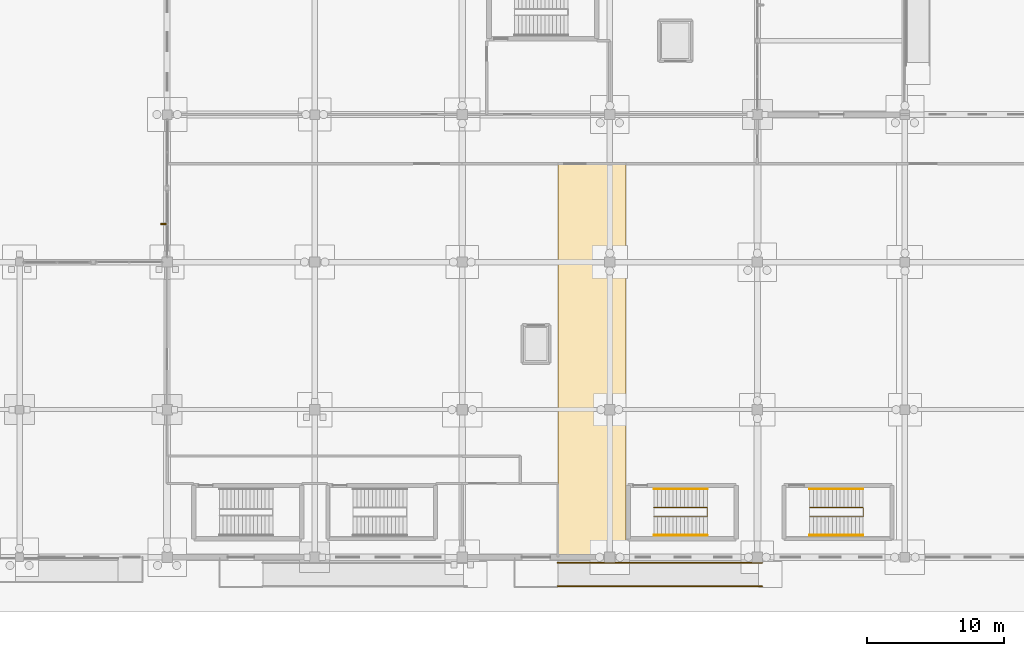
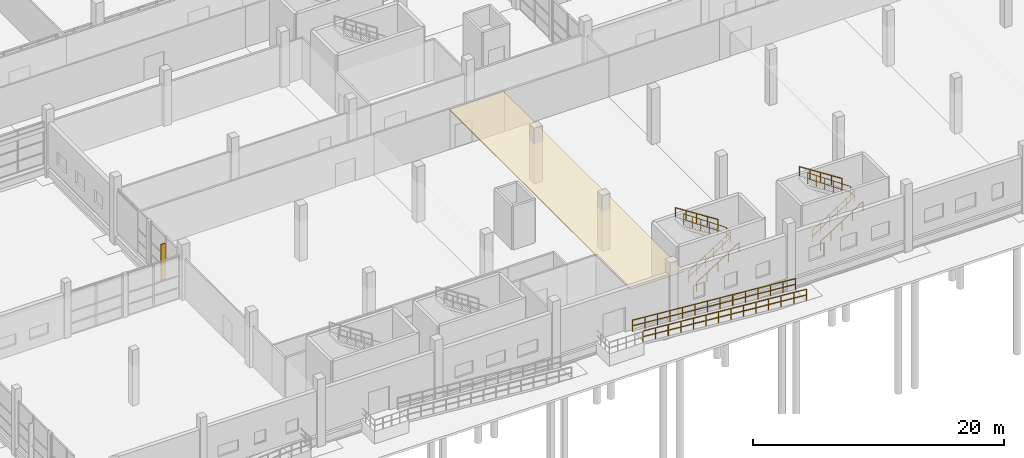
# One storey, part 134 of 138: 8 railings, 1 covering, 1 shading device.
"""IFC4 building model written with IfcOpenShell, lengths in metres."""

from ifc_helpers import new_model, si_unit, direction, frame, origin, origin_2d, place, context, subcontext, project, spatial, polyline, rectangle, circle, outline, extrude, material, layer, layer_set, type_object, element, save


model = new_model("IFC4")

# Units and contexts
model_context = context("Model", 3, precision=1e-05, world=origin(), true_north=direction((0.0, 1.0)))
body_context = subcontext(model_context, "Body", "Model", "MODEL_VIEW")
ifc_project = project(units=[si_unit("LENGTHUNIT", "METRE"), si_unit("AREAUNIT", "SQUARE_METRE"), si_unit("VOLUMEUNIT", "CUBIC_METRE"), si_unit("PLANEANGLEUNIT", "RADIAN"), si_unit("MASSUNIT", "GRAM", prefix="KILO")], contexts=[model_context])

# Site, building, storey
site_placement = place(None, origin())
site = spatial("IfcSite", under=ifc_project, at=site_placement, CompositionType="ELEMENT")
building_placement = place(site_placement, origin())
building = spatial("IfcBuilding", under=site, at=building_placement, Name="Zwinboog Wholesale Market", CompositionType="ELEMENT")
storey_placement = place(building_placement, origin())
storey = spatial("IfcBuildingStorey", under=building, at=storey_placement, Name="L00", CompositionType="ELEMENT", Elevation=0.0)

# Shading device
ifc_material_1 = material(Name="Western red cedar timber", Category="wood")
shading_device_type = type_object("IfcShadingDeviceType", Name="SHD-FIN-CEDAR", PredefinedType="USERDEFINED", material=ifc_material_1)
shading_device_placement = place(storey_placement, frame((129.330078125, 24.385009765625, 0.080078125), z_axis=(0.0, 0.0, 1.0), x_axis=(1.0, 0.0, 0.0)))
element("IfcShadingDevice", 1, at=shading_device_placement, inside=storey, type_object=shading_device_type, Name="FN-01 (SHD-FIN-014)", ObjectType="FIN", PredefinedType="USERDEFINED", context=body_context, shape_type="SweptSolid", body=[
    extrude(rectangle(XDim=0.419921875, YDim=0.0849609375, at=origin_2d()), origin(), (0.0, 0.0, 1.0), 3.5),
])

# Railings
ifc_material_2 = material(Name="Steel S355", Category="steel")
railing_type_1 = type_object("IfcRailingType", Name="RLT-EXT-GUARD", PredefinedType="BALUSTRADE", material=ifc_material_2)
railing_1_placement = place(storey_placement, frame((158.159912109375, -2.1201171875, 0.0)))
element("IfcRailing", 2, at=railing_1_placement, inside=storey, type_object=railing_type_1, Name="GR-01 (RLG-STP-04B)", PredefinedType="BALUSTRADE", context=body_context, shape_type="SweptSolid", body=[
    extrude(circle(Radius=0.02392578125, at=origin_2d()), frame((0.0, 0.0, 1.076171875), z_axis=(0.996815536467, 0.0, -0.079741998075), x_axis=(0.0, 1.0, 0.0)), (0.0, 0.0, 1.0), 15.0478515625),
    extrude(circle(Radius=0.02392578125, at=origin_2d()), frame((0.0, 0.0, 0.52587890625), z_axis=(0.996815536467, 0.0, -0.079741998075), x_axis=(0.0, 1.0, 0.0)), (0.0, 0.0, 1.0), 15.0478515625),
    extrude(circle(Radius=0.02099609375, at=origin_2d()), origin(), (0.0, 0.0, 1.0), 1.052001953125),
    extrude(circle(Radius=0.02099609375, at=origin_2d()), frame((1.15380859375, 0.0, -0.09228515625)), (0.0, 0.0, 1.0), 1.052001953125),
    extrude(circle(Radius=0.02099609375, at=origin_2d()), frame((2.3076171875, 0.0, -0.1845703125)), (0.0, 0.0, 1.0), 1.052001953125),
    extrude(circle(Radius=0.02099609375, at=origin_2d()), frame((3.46142578125, 0.0, -0.27685546875)), (0.0, 0.0, 1.0), 1.052001953125),
    extrude(circle(Radius=0.02099609375, at=origin_2d()), frame((4.615478515625, 0.0, -0.369140625)), (0.0, 0.0, 1.0), 1.052001953125),
    extrude(circle(Radius=0.02099609375, at=origin_2d()), frame((5.769287109375, 0.0, -0.46142578125)), (0.0, 0.0, 1.0), 1.052001953125),
    extrude(circle(Radius=0.02099609375, at=origin_2d()), frame((6.923095703125, 0.0, -0.5537109375)), (0.0, 0.0, 1.0), 1.052001953125),
    extrude(circle(Radius=0.02099609375, at=origin_2d()), frame((8.076904296875, 0.0, -0.646240234375)), (0.0, 0.0, 1.0), 1.052001953125),
    extrude(circle(Radius=0.02099609375, at=origin_2d()), frame((9.230712890625, 0.0, -0.738525390625)), (0.0, 0.0, 1.0), 1.052001953125),
    extrude(circle(Radius=0.02099609375, at=origin_2d()), frame((10.384521484375, 0.0, -0.830810546875)), (0.0, 0.0, 1.0), 1.052001953125),
    extrude(circle(Radius=0.02099609375, at=origin_2d()), frame((11.53857421875, 0.0, -0.923095703125)), (0.0, 0.0, 1.0), 1.052001953125),
    extrude(circle(Radius=0.02099609375, at=origin_2d()), frame((12.6923828125, 0.0, -1.015380859375)), (0.0, 0.0, 1.0), 1.052001953125),
    extrude(circle(Radius=0.02099609375, at=origin_2d()), frame((13.84619140625, 0.0, -1.107666015625)), (0.0, 0.0, 1.0), 1.052001953125),
    extrude(circle(Radius=0.02099609375, at=origin_2d()), frame((15.0, 0.0, -1.199951171875)), (0.0, 0.0, 1.0), 1.052001953125),
])
railing_2_placement = place(storey_placement, frame((158.159912109375, -0.39990234375, 0.0)))
element("IfcRailing", 3, at=railing_2_placement, inside=storey, type_object=railing_type_1, Name="GR-01 (RLG-STP-04C)", PredefinedType="BALUSTRADE", context=body_context, shape_type="SweptSolid", body=[
    extrude(circle(Radius=0.02392578125, at=origin_2d()), frame((0.0, 0.0, 1.076171875), z_axis=(0.996815536467, 0.0, -0.079741998075), x_axis=(0.0, 1.0, 0.0)), (0.0, 0.0, 1.0), 15.0478515625),
    extrude(circle(Radius=0.02392578125, at=origin_2d()), frame((0.0, 0.0, 0.52587890625), z_axis=(0.996815536467, 0.0, -0.079741998075), x_axis=(0.0, 1.0, 0.0)), (0.0, 0.0, 1.0), 15.0478515625),
    extrude(circle(Radius=0.02099609375, at=origin_2d()), origin(), (0.0, 0.0, 1.0), 1.052001953125),
    extrude(circle(Radius=0.02099609375, at=origin_2d()), frame((1.15380859375, 0.0, -0.09228515625)), (0.0, 0.0, 1.0), 1.052001953125),
    extrude(circle(Radius=0.02099609375, at=origin_2d()), frame((2.3076171875, 0.0, -0.1845703125)), (0.0, 0.0, 1.0), 1.052001953125),
    extrude(circle(Radius=0.02099609375, at=origin_2d()), frame((3.46142578125, 0.0, -0.27685546875)), (0.0, 0.0, 1.0), 1.052001953125),
    extrude(circle(Radius=0.02099609375, at=origin_2d()), frame((4.615478515625, 0.0, -0.369140625)), (0.0, 0.0, 1.0), 1.052001953125),
    extrude(circle(Radius=0.02099609375, at=origin_2d()), frame((5.769287109375, 0.0, -0.46142578125)), (0.0, 0.0, 1.0), 1.052001953125),
    extrude(circle(Radius=0.02099609375, at=origin_2d()), frame((6.923095703125, 0.0, -0.5537109375)), (0.0, 0.0, 1.0), 1.052001953125),
    extrude(circle(Radius=0.02099609375, at=origin_2d()), frame((8.076904296875, 0.0, -0.646240234375)), (0.0, 0.0, 1.0), 1.052001953125),
    extrude(circle(Radius=0.02099609375, at=origin_2d()), frame((9.230712890625, 0.0, -0.738525390625)), (0.0, 0.0, 1.0), 1.052001953125),
    extrude(circle(Radius=0.02099609375, at=origin_2d()), frame((10.384521484375, 0.0, -0.830810546875)), (0.0, 0.0, 1.0), 1.052001953125),
    extrude(circle(Radius=0.02099609375, at=origin_2d()), frame((11.53857421875, 0.0, -0.923095703125)), (0.0, 0.0, 1.0), 1.052001953125),
    extrude(circle(Radius=0.02099609375, at=origin_2d()), frame((12.6923828125, 0.0, -1.015380859375)), (0.0, 0.0, 1.0), 1.052001953125),
    extrude(circle(Radius=0.02099609375, at=origin_2d()), frame((13.84619140625, 0.0, -1.107666015625)), (0.0, 0.0, 1.0), 1.052001953125),
    extrude(circle(Radius=0.02099609375, at=origin_2d()), frame((15.0, 0.0, -1.199951171875)), (0.0, 0.0, 1.0), 1.052001953125),
])
railing_type_2 = type_object("IfcRailingType", Name="RLT-INT-GUARD", PredefinedType="BALUSTRADE", material=ifc_material_2)
railing_3_placement = place(storey_placement, frame((176.6201171875, 2.9599609375, 0.179931640625)))
element("IfcRailing", 4, at=railing_3_placement, inside=storey, type_object=railing_type_2, Name="GR-02 (RLG-ST-09A-G1)", PredefinedType="BALUSTRADE", context=body_context, shape_type="SweptSolid", body=[
    extrude(circle(Radius=0.02392578125, at=origin_2d()), frame((0.0, 0.0, 1.09619140625), z_axis=(0.841171666519, 0.0, 0.540768182723), x_axis=(0.0, 1.0, 0.0)), (0.0, 0.0, 1.0), 4.66015625),
    extrude(circle(Radius=0.02392578125, at=origin_2d()), frame((0.0, 0.0, 0.5361328125), z_axis=(0.841171666519, 0.0, 0.540768182723), x_axis=(0.0, 1.0, 0.0)), (0.0, 0.0, 1.0), 4.66015625),
    extrude(circle(Radius=0.02392578125, at=origin_2d()), frame((3.919921875, 0.0, 3.6162109375), z_axis=(0.0, 1.0, 0.0), x_axis=(-1.0, 0.0, 0.0)), (0.0, 0.0, 1.0), 0.679931640625),
    extrude(circle(Radius=0.02392578125, at=origin_2d()), frame((3.919921875, 0.0, 3.05615234375), z_axis=(0.0, 1.0, 0.0), x_axis=(-1.0, 0.0, 0.0)), (0.0, 0.0, 1.0), 0.679931640625),
    extrude(circle(Radius=0.02392578125, at=origin_2d()), frame((3.919921875, 0.679931640625, 3.6162109375), z_axis=(-0.823550731654, 0.0, 0.567242622158), x_axis=(0.0, -1.0, 0.0)), (0.0, 0.0, 1.0), 4.759765625),
    extrude(circle(Radius=0.02392578125, at=origin_2d()), frame((3.919921875, 0.679931640625, 3.05615234375), z_axis=(-0.823550731654, 0.0, 0.567242622158), x_axis=(0.0, -1.0, 0.0)), (0.0, 0.0, 1.0), 4.759765625),
    extrude(circle(Radius=0.02099609375, at=origin_2d()), origin(), (0.0, 0.0, 1.0), 1.072021484375),
    extrude(circle(Radius=0.02099609375, at=origin_2d()), frame((0.783935546875, 0.0, 0.50390625)), (0.0, 0.0, 1.0), 1.072021484375),
    extrude(circle(Radius=0.02099609375, at=origin_2d()), frame((1.56787109375, 0.0, 1.008056640625)), (0.0, 0.0, 1.0), 1.072021484375),
    extrude(circle(Radius=0.02099609375, at=origin_2d()), frame((2.35205078125, 0.0, 1.511962890625)), (0.0, 0.0, 1.0), 1.072021484375),
    extrude(circle(Radius=0.02099609375, at=origin_2d()), frame((3.135986328125, 0.0, 2.01611328125)), (0.0, 0.0, 1.0), 1.072021484375),
    extrude(circle(Radius=0.02099609375, at=origin_2d()), frame((3.919921875, 0.0, 2.52001953125)), (0.0, 0.0, 1.0), 1.072021484375),
    extrude(circle(Radius=0.02099609375, at=origin_2d()), frame((3.919921875, 0.679931640625, 2.52001953125)), (0.0, 0.0, 1.0), 1.072021484375),
    extrude(circle(Radius=0.02099609375, at=origin_2d()), frame((3.135986328125, 0.679931640625, 3.06005859375)), (0.0, 0.0, 1.0), 1.072021484375),
    extrude(circle(Radius=0.02099609375, at=origin_2d()), frame((2.35205078125, 0.679931640625, 3.60009765625)), (0.0, 0.0, 1.0), 1.072021484375),
    extrude(circle(Radius=0.02099609375, at=origin_2d()), frame((1.56787109375, 0.679931640625, 4.139892578125)), (0.0, 0.0, 1.0), 1.072021484375),
    extrude(circle(Radius=0.02099609375, at=origin_2d()), frame((0.783935546875, 0.679931640625, 4.679931640625)), (0.0, 0.0, 1.0), 1.072021484375),
    extrude(circle(Radius=0.02099609375, at=origin_2d()), frame((0.0, 0.679931640625, 5.219970703125)), (0.0, 0.0, 1.0), 1.072021484375),
])
railing_4_placement = place(storey_placement, frame((165.219970703125, 2.9599609375, 0.179931640625)))
element("IfcRailing", 5, at=railing_4_placement, inside=storey, type_object=railing_type_2, Name="GR-02 (RLG-ST-11A-G1)", PredefinedType="BALUSTRADE", context=body_context, shape_type="SweptSolid", body=[
    extrude(circle(Radius=0.02392578125, at=origin_2d()), frame((0.0, 0.0, 1.09619140625), z_axis=(0.841171666519, 0.0, 0.540768182723), x_axis=(0.0, 1.0, 0.0)), (0.0, 0.0, 1.0), 4.66015625),
    extrude(circle(Radius=0.02392578125, at=origin_2d()), frame((0.0, 0.0, 0.5361328125), z_axis=(0.841171666519, 0.0, 0.540768182723), x_axis=(0.0, 1.0, 0.0)), (0.0, 0.0, 1.0), 4.66015625),
    extrude(circle(Radius=0.02392578125, at=origin_2d()), frame((3.919921875, 0.0, 3.6162109375), z_axis=(0.0, 1.0, 0.0), x_axis=(-1.0, 0.0, 0.0)), (0.0, 0.0, 1.0), 0.679931640625),
    extrude(circle(Radius=0.02392578125, at=origin_2d()), frame((3.919921875, 0.0, 3.05615234375), z_axis=(0.0, 1.0, 0.0), x_axis=(-1.0, 0.0, 0.0)), (0.0, 0.0, 1.0), 0.679931640625),
    extrude(circle(Radius=0.02392578125, at=origin_2d()), frame((3.919921875, 0.679931640625, 3.6162109375), z_axis=(-0.823550731654, 0.0, 0.567242622158), x_axis=(0.0, -1.0, 0.0)), (0.0, 0.0, 1.0), 4.759765625),
    extrude(circle(Radius=0.02392578125, at=origin_2d()), frame((3.919921875, 0.679931640625, 3.05615234375), z_axis=(-0.823550731654, 0.0, 0.567242622158), x_axis=(0.0, -1.0, 0.0)), (0.0, 0.0, 1.0), 4.759765625),
    extrude(circle(Radius=0.02099609375, at=origin_2d()), origin(), (0.0, 0.0, 1.0), 1.072021484375),
    extrude(circle(Radius=0.02099609375, at=origin_2d()), frame((0.783935546875, 0.0, 0.50390625)), (0.0, 0.0, 1.0), 1.072021484375),
    extrude(circle(Radius=0.02099609375, at=origin_2d()), frame((1.56787109375, 0.0, 1.008056640625)), (0.0, 0.0, 1.0), 1.072021484375),
    extrude(circle(Radius=0.02099609375, at=origin_2d()), frame((2.35205078125, 0.0, 1.511962890625)), (0.0, 0.0, 1.0), 1.072021484375),
    extrude(circle(Radius=0.02099609375, at=origin_2d()), frame((3.135986328125, 0.0, 2.01611328125)), (0.0, 0.0, 1.0), 1.072021484375),
    extrude(circle(Radius=0.02099609375, at=origin_2d()), frame((3.919921875, 0.0, 2.52001953125)), (0.0, 0.0, 1.0), 1.072021484375),
    extrude(circle(Radius=0.02099609375, at=origin_2d()), frame((3.919921875, 0.679931640625, 2.52001953125)), (0.0, 0.0, 1.0), 1.072021484375),
    extrude(circle(Radius=0.02099609375, at=origin_2d()), frame((3.135986328125, 0.679931640625, 3.06005859375)), (0.0, 0.0, 1.0), 1.072021484375),
    extrude(circle(Radius=0.02099609375, at=origin_2d()), frame((2.35205078125, 0.679931640625, 3.60009765625)), (0.0, 0.0, 1.0), 1.072021484375),
    extrude(circle(Radius=0.02099609375, at=origin_2d()), frame((1.56787109375, 0.679931640625, 4.139892578125)), (0.0, 0.0, 1.0), 1.072021484375),
    extrude(circle(Radius=0.02099609375, at=origin_2d()), frame((0.783935546875, 0.679931640625, 4.679931640625)), (0.0, 0.0, 1.0), 1.072021484375),
    extrude(circle(Radius=0.02099609375, at=origin_2d()), frame((0.0, 0.679931640625, 5.219970703125)), (0.0, 0.0, 1.0), 1.072021484375),
])
railing_type_3 = type_object("IfcRailingType", Name="RLT-HANDRAIL", PredefinedType="HANDRAIL", material=ifc_material_2)
railing_5_placement = place(storey_placement, frame((176.6201171875, 1.610107421875, 0.179931640625)))
element("IfcRailing", 6, at=railing_5_placement, inside=storey, type_object=railing_type_3, Name="HR-01 (RLG-ST-09A-HR1)", PredefinedType="HANDRAIL", context=body_context, shape_type="SweptSolid", body=[
    extrude(circle(Radius=0.02392578125, at=origin_2d()), frame((0.0, 0.0, 0.8759765625), z_axis=(0.841171666519, 0.0, 0.540768182723), x_axis=(0.0, 1.0, 0.0)), (0.0, 0.0, 1.0), 4.66015625),
    extrude(circle(Radius=0.02099609375, at=origin_2d()), origin(), (0.0, 0.0, 1.0), 0.851806640625),
    extrude(circle(Radius=0.02099609375, at=origin_2d()), frame((0.97998046875, 0.0, 0.6298828125)), (0.0, 0.0, 1.0), 0.851806640625),
    extrude(circle(Radius=0.02099609375, at=origin_2d()), frame((1.9599609375, 0.0, 1.260009765625)), (0.0, 0.0, 1.0), 0.851806640625),
    extrude(circle(Radius=0.02099609375, at=origin_2d()), frame((2.93994140625, 0.0, 1.89013671875)), (0.0, 0.0, 1.0), 0.851806640625),
    extrude(circle(Radius=0.02099609375, at=origin_2d()), frame((3.919921875, 0.0, 2.52001953125)), (0.0, 0.0, 1.0), 0.851806640625),
])
railing_6_placement = place(storey_placement, frame((180.5400390625, 4.989990234375, 2.8798828125)))
element("IfcRailing", 7, at=railing_6_placement, inside=storey, type_object=railing_type_3, Name="HR-01 (RLG-ST-09A-HR2)", PredefinedType="HANDRAIL", context=body_context, shape_type="SweptSolid", body=[
    extrude(circle(Radius=0.02392578125, at=origin_2d()), frame((0.0, 0.0, 0.8759765625), z_axis=(-0.841171666519, 0.0, 0.540768182723), x_axis=(0.0, -1.0, 0.0)), (0.0, 0.0, 1.0), 4.66015625),
    extrude(circle(Radius=0.02099609375, at=origin_2d()), origin(), (0.0, 0.0, 1.0), 0.851806640625),
    extrude(circle(Radius=0.02099609375, at=origin_2d()), frame((-0.97998046875, 0.0, 0.6298828125)), (0.0, 0.0, 1.0), 0.851806640625),
    extrude(circle(Radius=0.02099609375, at=origin_2d()), frame((-1.9599609375, 0.0, 1.260009765625)), (0.0, 0.0, 1.0), 0.851806640625),
    extrude(circle(Radius=0.02099609375, at=origin_2d()), frame((-2.93994140625, 0.0, 1.89013671875)), (0.0, 0.0, 1.0), 0.851806640625),
    extrude(circle(Radius=0.02099609375, at=origin_2d()), frame((-3.919921875, 0.0, 2.52001953125)), (0.0, 0.0, 1.0), 0.851806640625),
])
railing_7_placement = place(storey_placement, frame((165.219970703125, 1.610107421875, 0.179931640625)))
element("IfcRailing", 8, at=railing_7_placement, inside=storey, type_object=railing_type_3, Name="HR-01 (RLG-ST-11A-HR1)", PredefinedType="HANDRAIL", context=body_context, shape_type="SweptSolid", body=[
    extrude(circle(Radius=0.02392578125, at=origin_2d()), frame((0.0, 0.0, 0.8759765625), z_axis=(0.841171666519, 0.0, 0.540768182723), x_axis=(0.0, 1.0, 0.0)), (0.0, 0.0, 1.0), 4.66015625),
    extrude(circle(Radius=0.02099609375, at=origin_2d()), origin(), (0.0, 0.0, 1.0), 0.851806640625),
    extrude(circle(Radius=0.02099609375, at=origin_2d()), frame((0.97998046875, 0.0, 0.6298828125)), (0.0, 0.0, 1.0), 0.851806640625),
    extrude(circle(Radius=0.02099609375, at=origin_2d()), frame((1.9599609375, 0.0, 1.260009765625)), (0.0, 0.0, 1.0), 0.851806640625),
    extrude(circle(Radius=0.02099609375, at=origin_2d()), frame((2.93994140625, 0.0, 1.89013671875)), (0.0, 0.0, 1.0), 0.851806640625),
    extrude(circle(Radius=0.02099609375, at=origin_2d()), frame((3.919921875, 0.0, 2.52001953125)), (0.0, 0.0, 1.0), 0.851806640625),
])
railing_8_placement = place(storey_placement, frame((169.139892578125, 4.989990234375, 2.8798828125)))
element("IfcRailing", 9, at=railing_8_placement, inside=storey, type_object=railing_type_3, Name="HR-01 (RLG-ST-11A-HR2)", PredefinedType="HANDRAIL", context=body_context, shape_type="SweptSolid", body=[
    extrude(circle(Radius=0.02392578125, at=origin_2d()), frame((0.0, 0.0, 0.8759765625), z_axis=(-0.841171666519, 0.0, 0.540768182723), x_axis=(0.0, -1.0, 0.0)), (0.0, 0.0, 1.0), 4.66015625),
    extrude(circle(Radius=0.02099609375, at=origin_2d()), origin(), (0.0, 0.0, 1.0), 0.851806640625),
    extrude(circle(Radius=0.02099609375, at=origin_2d()), frame((-0.97998046875, 0.0, 0.6298828125)), (0.0, 0.0, 1.0), 0.851806640625),
    extrude(circle(Radius=0.02099609375, at=origin_2d()), frame((-1.9599609375, 0.0, 1.260009765625)), (0.0, 0.0, 1.0), 0.851806640625),
    extrude(circle(Radius=0.02099609375, at=origin_2d()), frame((-2.93994140625, 0.0, 1.89013671875)), (0.0, 0.0, 1.0), 0.851806640625),
    extrude(circle(Radius=0.02099609375, at=origin_2d()), frame((-3.919921875, 0.0, 2.52001953125)), (0.0, 0.0, 1.0), 0.851806640625),
])

# Covering
ifc_material_3 = material(Name="Western red cedar acoustic baffle ceiling", Category="wood")
ifc_layer = layer(ifc_material_3, 0.080078125)
ifc_layer_set = layer_set([ifc_layer], Name="Western red cedar acoustic baffle ceiling")
covering_type = type_object("IfcCoveringType", Name="COV-CEIL-CEDAR", PredefinedType="CEILING", material=ifc_layer_set)
covering_placement = place(storey_placement, frame((0.0, 0.0, 3.77001953125)))
element("IfcCovering", 10, at=covering_placement, inside=storey, type_object=covering_type, Name="CL-01 (COV-CL-L00-011)", PredefinedType="CEILING", context=body_context, shape_type="SweptSolid", body=[
    extrude(outline(polyline([(158.199951171875, 0.0), (163.199951171875, 0.0), (163.199951171875, 28.800048828125), (158.199951171875, 28.800048828125), (158.199951171875, 0.0)])), origin(), (0.0, 0.0, 1.0), 0.080078125),
])

save(model, "model.ifc")
